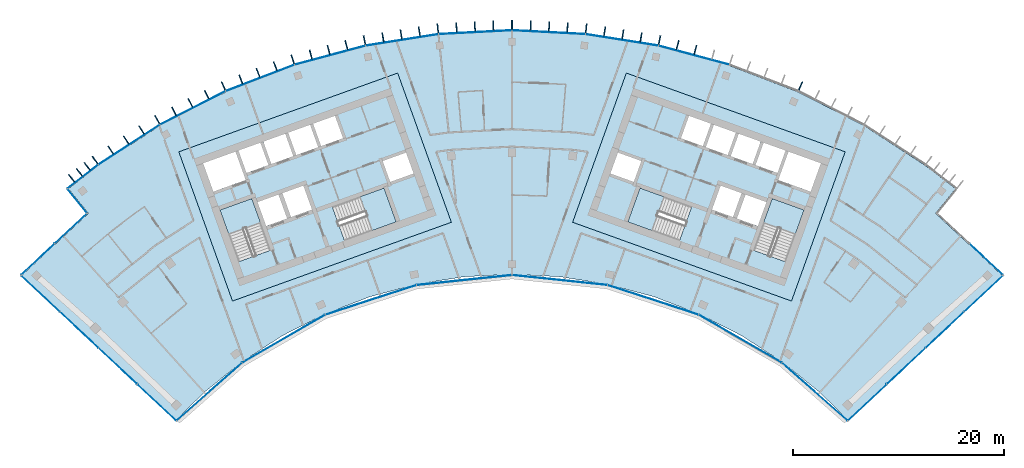
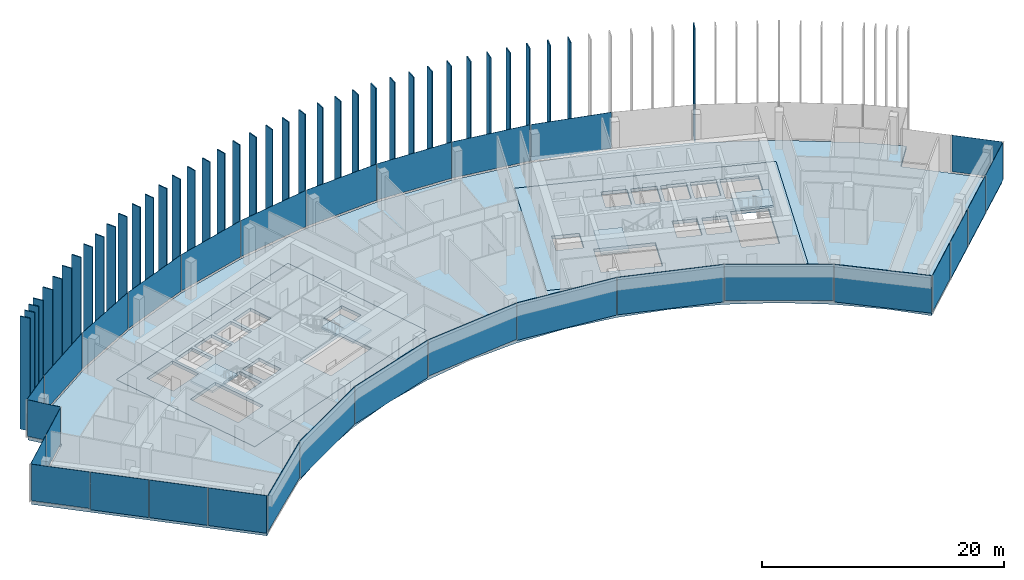
# One storey, part 11 of 19: 69 plates, 7 slabs, 11 elements without a shape of their own.
"""IFC4 building model written with IfcOpenShell, lengths in metres."""

from ifc_helpers import new_model, si_unit, direction, frame, origin, origin_2d, place, context, subcontext, project, spatial, polyline, rectangle, outline, extrude, material, layer, layer_set, type_object, element, aggregate, save


model = new_model("IFC4")

# Units and contexts
model_context = context("Model", 3, precision=1e-05, world=origin(), true_north=direction((0.0, 1.0)))
body_context = subcontext(model_context, "Body", "Model", "MODEL_VIEW")
ifc_project = project(units=[si_unit("LENGTHUNIT", "METRE"), si_unit("AREAUNIT", "SQUARE_METRE"), si_unit("VOLUMEUNIT", "CUBIC_METRE"), si_unit("PLANEANGLEUNIT", "RADIAN"), si_unit("MASSUNIT", "GRAM", prefix="KILO")], contexts=[model_context])

# Site, building, storey
site_placement = place(None, origin())
site = spatial("IfcSite", under=ifc_project, at=site_placement, CompositionType="ELEMENT")
building_placement = place(site_placement, origin())
building = spatial("IfcBuilding", under=site, at=building_placement, Name="Stone Belt Terrace Tower", CompositionType="ELEMENT")
storey_placement = place(building_placement, frame((0.0, 0.0, 292.199951171875)))
storey = spatial("IfcBuildingStorey", under=building, at=storey_placement, Name="L71", CompositionType="ELEMENT", Elevation=292.199951171875)

# Curtain wall, plates
ifc_material_1 = material(Name="Aluminium 6063-T6 anodised frame", Category="aluminium")
ifc_layer_1 = layer(ifc_material_1, 0.14990234375)
ifc_layer_set_1 = layer_set([ifc_layer_1], Name="CW-A unitised convex-face curtain wall")
curtain_wall_type_1 = type_object("IfcCurtainWallType", Name="CW-A unitised convex-face curtain wall", PredefinedType="NOTDEFINED", material=ifc_layer_set_1)
curtain_wall_1_placement = place(storey_placement, origin())
curtain_wall_1 = element("IfcCurtainWall", 1, at=curtain_wall_1_placement, inside=storey, type_object=curtain_wall_type_1, Name="CW-A convex face L71", PredefinedType="NOTDEFINED")
ifc_material_2 = material(Name="Clear double glazed unit")
ifc_layer_2 = layer(ifc_material_2, 0.031982421875)
ifc_layer_set_2 = layer_set([ifc_layer_2], Name="CW-A glass panel 32")
plate_type_1 = type_object("IfcPlateType", Name="CW-A glass panel 32", PredefinedType="CURTAIN_PANEL", material=ifc_layer_set_2)
plate_1_placement = place(storey_placement, frame((17.207275390625, 64.218505859375, 0.14013671875), z_axis=(0.0, 0.0, 1.0), x_axis=(-0.965925826289, 0.258819045103, 0.0)))
plate_1 = element("IfcPlate", 2, at=plate_1_placement, type_object=plate_type_1, Name="CW-A panel 5.1", PredefinedType="CURTAIN_PANEL", context=body_context, shape_type="SweptSolid", body=[
    extrude(rectangle(XDim=6.90087890625, YDim=0.031982421875, at=origin_2d()), origin(), (0.0, 0.0, 1.0), 3.659912109375),
])
plate_2_placement = place(storey_placement, frame((10.400390625, 65.665283203125, 0.14013671875), z_axis=(0.0, 0.0, 1.0), x_axis=(-0.987688340595, 0.15643446504, 0.0)))
plate_2 = element("IfcPlate", 3, at=plate_2_placement, type_object=plate_type_1, Name="CW-A panel 6.1", PredefinedType="CURTAIN_PANEL", context=body_context, shape_type="SweptSolid", body=[
    extrude(rectangle(XDim=6.90087890625, YDim=0.031982421875, at=origin_2d()), origin(), (0.0, 0.0, 1.0), 3.659912109375),
])
plate_3_placement = place(storey_placement, frame((3.4794921875, 66.392822265625, 0.14013671875), z_axis=(0.0, 0.0, 1.0), x_axis=(-0.998629534755, 0.052335956243, 0.0)))
plate_3 = element("IfcPlate", 4, at=plate_3_placement, type_object=plate_type_1, Name="CW-A panel 7.1", PredefinedType="CURTAIN_PANEL", context=body_context, shape_type="SweptSolid", body=[
    extrude(rectangle(XDim=6.90087890625, YDim=0.031982421875, at=origin_2d()), origin(), (0.0, 0.0, 1.0), 3.659912109375),
])
plate_4_placement = place(storey_placement, frame((-3.4794921875, 66.392822265625, 0.14013671875), z_axis=(0.0, 0.0, 1.0), x_axis=(-0.998629534755, -0.052335956243, 0.0)))
plate_4 = element("IfcPlate", 5, at=plate_4_placement, type_object=plate_type_1, Name="CW-A panel 8.1", PredefinedType="CURTAIN_PANEL", context=body_context, shape_type="SweptSolid", body=[
    extrude(rectangle(XDim=6.90087890625, YDim=0.031982421875, at=origin_2d()), origin(), (0.0, 0.0, 1.0), 3.659912109375),
])
plate_5_placement = place(storey_placement, frame((-10.400390625, 65.665283203125, 0.14013671875), z_axis=(0.0, 0.0, 1.0), x_axis=(-0.987688340595, -0.15643446504, 0.0)))
plate_5 = element("IfcPlate", 6, at=plate_5_placement, type_object=plate_type_1, Name="CW-A panel 9.1", PredefinedType="CURTAIN_PANEL", context=body_context, shape_type="SweptSolid", body=[
    extrude(rectangle(XDim=6.90087890625, YDim=0.031982421875, at=origin_2d()), origin(), (0.0, 0.0, 1.0), 3.659912109375),
])
plate_6_placement = place(storey_placement, frame((-17.207275390625, 64.218505859375, 0.14013671875), z_axis=(0.0, 0.0, 1.0), x_axis=(-0.965925826289, -0.258819045103, 0.0)))
plate_6 = element("IfcPlate", 7, at=plate_6_placement, type_object=plate_type_1, Name="CW-A panel 10.1", PredefinedType="CURTAIN_PANEL", context=body_context, shape_type="SweptSolid", body=[
    extrude(rectangle(XDim=6.90087890625, YDim=0.031982421875, at=origin_2d()), origin(), (0.0, 0.0, 1.0), 3.659912109375),
])
plate_7_placement = place(storey_placement, frame((-23.82568359375, 62.068115234375, 0.14013671875), z_axis=(0.0, 0.0, 1.0), x_axis=(-0.933580426497, -0.358367949545, 0.0)))
plate_7 = element("IfcPlate", 8, at=plate_7_placement, type_object=plate_type_1, Name="CW-A panel 11.1", PredefinedType="CURTAIN_PANEL", context=body_context, shape_type="SweptSolid", body=[
    extrude(rectangle(XDim=6.90087890625, YDim=0.031982421875, at=origin_2d()), origin(), (0.0, 0.0, 1.0), 3.659912109375),
])
plate_8_placement = place(storey_placement, frame((-30.18310546875, 59.237548828125, 0.14013671875), z_axis=(0.0, 0.0, 1.0), x_axis=(-0.891006524188, -0.45399049974, 0.0)))
plate_8 = element("IfcPlate", 9, at=plate_8_placement, type_object=plate_type_1, Name="CW-A panel 12.1", PredefinedType="CURTAIN_PANEL", context=body_context, shape_type="SweptSolid", body=[
    extrude(rectangle(XDim=6.90087890625, YDim=0.031982421875, at=origin_2d()), origin(), (0.0, 0.0, 1.0), 3.659912109375),
])
plate_9_placement = place(storey_placement, frame((-36.209716796875, 55.758056640625, 0.14013671875), z_axis=(0.0, 0.0, 1.0), x_axis=(-0.838670567945, -0.544639035015, 0.0)))
plate_9 = element("IfcPlate", 10, at=plate_9_placement, type_object=plate_type_1, Name="CW-A panel 13.1", PredefinedType="CURTAIN_PANEL", context=body_context, shape_type="SweptSolid", body=[
    extrude(rectangle(XDim=6.900634765625, YDim=0.031982421875, at=origin_2d()), origin(), (0.0, 0.0, 1.0), 3.659912109375),
])
plate_10_placement = place(storey_placement, frame((-40.583251953125, 52.744140625, 0.14013671875), z_axis=(0.0, 0.0, 1.0), x_axis=(-0.792693871824, -0.60961990254, 0.0)))
plate_10 = element("IfcPlate", 11, at=plate_10_placement, type_object=plate_type_1, Name="CW-A panel 14.1", PredefinedType="CURTAIN_PANEL", context=body_context, shape_type="SweptSolid", body=[
    extrude(rectangle(XDim=3.597900390625, YDim=0.031982421875, at=origin_2d()), origin(), (0.0, 0.0, 1.0), 3.659912109375),
])
aggregate(curtain_wall_1, [plate_1, plate_2, plate_3, plate_4, plate_5, plate_6, plate_7, plate_8, plate_9, plate_10])

ifc_layer_3 = layer(ifc_material_1, 0.14990234375)
ifc_layer_set_3 = layer_set([ifc_layer_3], Name="CW-B unitised concave-face curtain wall")
curtain_wall_type_2 = type_object("IfcCurtainWallType", Name="CW-B unitised concave-face curtain wall", PredefinedType="NOTDEFINED", material=ifc_layer_set_3)
curtain_wall_2_placement = place(storey_placement, origin())
curtain_wall_2 = element("IfcCurtainWall", 12, at=curtain_wall_2_placement, inside=storey, type_object=curtain_wall_type_2, Name="CW-B concave face L71", PredefinedType="NOTDEFINED")
ifc_layer_4 = layer(ifc_material_2, 0.030029296875)
ifc_layer_set_4 = layer_set([ifc_layer_4], Name="CW-B glass panel 30")
plate_type_2 = type_object("IfcPlateType", Name="CW-B glass panel 30", PredefinedType="CURTAIN_PANEL", material=ifc_layer_set_4)
plate_11_placement = place(storey_placement, frame((-28.624755859375, 32.39404296875, 0.1201171875), z_axis=(0.0, 0.0, 1.0), x_axis=(0.749658646805, 0.661824684694, 0.0)))
plate_11 = element("IfcPlate", 13, at=plate_11_placement, type_object=plate_type_2, Name="CW-B panel 1.1", PredefinedType="CURTAIN_PANEL", context=body_context, shape_type="SweptSolid", body=[
    extrude(rectangle(XDim=8.2060546875, YDim=0.030029296875, at=origin_2d()), origin(), (0.0, 0.0, 1.0), 3.679931640625),
])
plate_12_placement = place(storey_placement, frame((-21.59375, 37.400634765625, 0.0), z_axis=(0.0, 0.0, 1.0), x_axis=(0.866025403784, 0.5, 0.0)))
plate_12 = element("IfcPlate", 14, at=plate_12_placement, type_object=plate_type_2, Name="CW-B panel 2.1", PredefinedType="CURTAIN_PANEL", context=body_context, shape_type="SweptSolid", body=[
    extrude(rectangle(XDim=9.013427734375, YDim=0.030029296875, at=origin_2d()), origin(), (0.0, 0.0, 1.0), 3.800048828125),
])
plate_13_placement = place(storey_placement, frame((-13.345458984375, 41.072998046875, 0.0), z_axis=(0.0, 0.0, 1.0), x_axis=(0.951056516295, 0.309016994375, 0.0)))
plate_13 = element("IfcPlate", 15, at=plate_13_placement, type_object=plate_type_2, Name="CW-B panel 3.1", PredefinedType="CURTAIN_PANEL", context=body_context, shape_type="SweptSolid", body=[
    extrude(rectangle(XDim=9.0126953125, YDim=0.030029296875, at=origin_2d()), origin(), (0.0, 0.0, 1.0), 3.800048828125),
])
plate_14_placement = place(storey_placement, frame((-4.51416015625, 42.9501953125, 0.1201171875), z_axis=(0.0, 0.0, 1.0), x_axis=(0.994521895368, 0.104528463268, 0.0)))
plate_14 = element("IfcPlate", 16, at=plate_14_placement, type_object=plate_type_2, Name="CW-B panel 4.1", PredefinedType="CURTAIN_PANEL", context=body_context, shape_type="SweptSolid", body=[
    extrude(rectangle(XDim=9.0126953125, YDim=0.030029296875, at=origin_2d()), origin(), (0.0, 0.0, 1.0), 3.679931640625),
])
plate_15_placement = place(storey_placement, frame((4.51416015625, 42.9501953125, 0.0), z_axis=(0.0, 0.0, 1.0), x_axis=(0.994521895368, -0.104528463268, 0.0)))
plate_15 = element("IfcPlate", 17, at=plate_15_placement, type_object=plate_type_2, Name="CW-B panel 5.1", PredefinedType="CURTAIN_PANEL", context=body_context, shape_type="SweptSolid", body=[
    extrude(rectangle(XDim=9.0126953125, YDim=0.030029296875, at=origin_2d()), origin(), (0.0, 0.0, 1.0), 3.800048828125),
])
plate_16_placement = place(storey_placement, frame((13.345458984375, 41.072998046875, 0.0), z_axis=(0.0, 0.0, 1.0), x_axis=(0.951056516295, -0.309016994375, 0.0)))
plate_16 = element("IfcPlate", 18, at=plate_16_placement, type_object=plate_type_2, Name="CW-B panel 6.1", PredefinedType="CURTAIN_PANEL", context=body_context, shape_type="SweptSolid", body=[
    extrude(rectangle(XDim=9.0126953125, YDim=0.030029296875, at=origin_2d()), origin(), (0.0, 0.0, 1.0), 3.800048828125),
])
plate_17_placement = place(storey_placement, frame((21.59375, 37.400634765625, 0.1201171875), z_axis=(0.0, 0.0, 1.0), x_axis=(0.866025403784, -0.5, 0.0)))
plate_17 = element("IfcPlate", 19, at=plate_17_placement, type_object=plate_type_2, Name="CW-B panel 7.1", PredefinedType="CURTAIN_PANEL", context=body_context, shape_type="SweptSolid", body=[
    extrude(rectangle(XDim=9.013427734375, YDim=0.030029296875, at=origin_2d()), origin(), (0.0, 0.0, 1.0), 3.679931640625),
])
plate_18_placement = place(storey_placement, frame((28.624755859375, 32.39404296875, 0.0), z_axis=(0.0, 0.0, 1.0), x_axis=(0.749658646805, -0.661824684694, 0.0)))
plate_18 = element("IfcPlate", 20, at=plate_18_placement, type_object=plate_type_2, Name="CW-B panel 8.1", PredefinedType="CURTAIN_PANEL", context=body_context, shape_type="SweptSolid", body=[
    extrude(rectangle(XDim=8.2060546875, YDim=0.030029296875, at=origin_2d()), origin(), (0.0, 0.0, 1.0), 3.800048828125),
])
aggregate(curtain_wall_2, [plate_11, plate_12, plate_13, plate_14, plate_15, plate_16, plate_17, plate_18])

ifc_layer_5 = layer(ifc_material_1, 0.14990234375)
ifc_layer_set_5 = layer_set([ifc_layer_5], Name="CW-C stick curtain wall, horn ends and notches")
curtain_wall_type_3 = type_object("IfcCurtainWallType", Name="CW-C stick curtain wall, horn ends and notches", PredefinedType="NOTDEFINED", material=ifc_layer_set_5)
curtain_wall_3_placement = place(storey_placement, origin())
curtain_wall_3 = element("IfcCurtainWall", 21, at=curtain_wall_3_placement, inside=storey, type_object=curtain_wall_type_3, Name="CW-C end face L71", PredefinedType="NOTDEFINED")
ifc_layer_6 = layer(ifc_material_2, 0.028076171875)
ifc_layer_set_6 = layer_set([ifc_layer_6], Name="CW-C glass panel 28")
plate_type_3 = type_object("IfcPlateType", Name="CW-C glass panel 28", PredefinedType="CURTAIN_PANEL", material=ifc_layer_set_6)
plate_19_placement = place(storey_placement, frame((33.617431640625, 31.3798828125, 0.1201171875), z_axis=(0.0, 0.0, 1.0), x_axis=(0.729904219708, 0.683549434973, 0.0)))
plate_19 = element("IfcPlate", 22, at=plate_19_placement, type_object=plate_type_3, Name="CW-C panel 1.1", PredefinedType="CURTAIN_PANEL", context=body_context, shape_type="SweptSolid", body=[
    extrude(rectangle(XDim=4.965576171875, YDim=0.028076171875, at=origin_2d()), origin(), (0.0, 0.0, 1.0), 3.679931640625),
])
plate_20_placement = place(storey_placement, frame((37.2763671875, 34.806396484375, 0.0), z_axis=(0.0, 0.0, 1.0), x_axis=(0.729904219708, 0.683549434973, 0.0)))
plate_20 = element("IfcPlate", 23, at=plate_20_placement, type_object=plate_type_3, Name="CW-C panel 2.1", PredefinedType="CURTAIN_PANEL", context=body_context, shape_type="SweptSolid", body=[
    extrude(rectangle(XDim=4.93994140625, YDim=0.028076171875, at=origin_2d()), origin(), (0.0, 0.0, 1.0), 3.800048828125),
])
plate_21_placement = place(storey_placement, frame((40.92578125, 38.22412109375, 0.0), z_axis=(0.0, 0.0, 1.0), x_axis=(0.729904219708, 0.683549434973, 0.0)))
plate_21 = element("IfcPlate", 24, at=plate_21_placement, type_object=plate_type_3, Name="CW-C panel 3.1", PredefinedType="CURTAIN_PANEL", context=body_context, shape_type="SweptSolid", body=[
    extrude(rectangle(XDim=4.93994140625, YDim=0.028076171875, at=origin_2d()), origin(), (0.0, 0.0, 1.0), 3.800048828125),
])
plate_22_placement = place(storey_placement, frame((44.588134765625, 41.65380859375, 0.0), z_axis=(0.0, 0.0, 1.0), x_axis=(0.729904219708, 0.683549434973, 0.0)))
plate_22 = element("IfcPlate", 25, at=plate_22_placement, type_object=plate_type_3, Name="CW-C panel 4.1", PredefinedType="CURTAIN_PANEL", context=body_context, shape_type="SweptSolid", body=[
    extrude(rectangle(XDim=4.974853515625, YDim=0.028076171875, at=origin_2d()), origin(), (0.0, 0.0, 1.0), 3.800048828125),
])
aggregate(curtain_wall_3, [plate_19, plate_20, plate_21, plate_22])

# Curtain wall, plate
curtain_wall_4_placement = place(storey_placement, origin())
curtain_wall_4 = element("IfcCurtainWall", 26, at=curtain_wall_4_placement, inside=storey, type_object=curtain_wall_type_3, Name="CW-C notch face L71", PredefinedType="NOTDEFINED")
plate_23_placement = place(storey_placement, frame((44.8427734375, 44.91259765625, 0.1201171875), z_axis=(0.0, 0.0, 1.0), x_axis=(-0.731339333871, 0.682013767261, 0.0)))
plate_23 = element("IfcPlate", 27, at=plate_23_placement, type_object=plate_type_3, Name="CW-C panel 1.1", PredefinedType="CURTAIN_PANEL", context=body_context, shape_type="SweptSolid", body=[
    extrude(rectangle(XDim=4.268798828125, YDim=0.028076171875, at=origin_2d()), origin(), (0.0, 0.0, 1.0), 3.679931640625),
])
aggregate(curtain_wall_4, [plate_23])

curtain_wall_5_placement = place(storey_placement, origin())
curtain_wall_5 = element("IfcCurtainWall", 28, at=curtain_wall_5_placement, inside=storey, type_object=curtain_wall_type_3, Name="CW-C notch face L71", PredefinedType="NOTDEFINED")
plate_24_placement = place(storey_placement, frame((-41.119140625, 50.43505859375, 0.1201171875), z_axis=(0.0, 0.0, 1.0), x_axis=(0.631001485542, -0.775781622136, 0.0)))
plate_24 = element("IfcPlate", 29, at=plate_24_placement, type_object=plate_type_3, Name="CW-C panel 1.1", PredefinedType="CURTAIN_PANEL", context=body_context, shape_type="SweptSolid", body=[
    extrude(rectangle(XDim=2.859130859375, YDim=0.028076171875, at=origin_2d()), origin(), (0.0, 0.0, 1.0), 3.679931640625),
])
aggregate(curtain_wall_5, [plate_24])

# Curtain wall, plates
curtain_wall_6_placement = place(storey_placement, origin())
curtain_wall_6 = element("IfcCurtainWall", 30, at=curtain_wall_6_placement, inside=storey, type_object=curtain_wall_type_3, Name="CW-C notch face L71", PredefinedType="NOTDEFINED")
plate_25_placement = place(storey_placement, frame((-41.731201171875, 47.814208984375, 0.1201171875), z_axis=(0.0, 0.0, 1.0), x_axis=(-0.731339333871, -0.682013767261, 0.0)))
plate_25 = element("IfcPlate", 31, at=plate_25_placement, type_object=plate_type_3, Name="CW-C panel 1.1", PredefinedType="CURTAIN_PANEL", context=body_context, shape_type="SweptSolid", body=[
    extrude(rectangle(XDim=4.12060546875, YDim=0.028076171875, at=origin_2d()), origin(), (0.0, 0.0, 1.0), 3.679931640625),
])
plate_26_placement = place(storey_placement, frame((-44.8427734375, 44.91259765625, 0.0), z_axis=(0.0, 0.0, 1.0), x_axis=(-0.731339333871, -0.682013767261, 0.0)))
plate_26 = element("IfcPlate", 32, at=plate_26_placement, type_object=plate_type_3, Name="CW-C panel 2.1", PredefinedType="CURTAIN_PANEL", context=body_context, shape_type="SweptSolid", body=[
    extrude(rectangle(XDim=4.268798828125, YDim=0.028076171875, at=origin_2d()), origin(), (0.0, 0.0, 1.0), 3.800048828125),
])
aggregate(curtain_wall_6, [plate_25, plate_26])

curtain_wall_7_placement = place(storey_placement, origin())
curtain_wall_7 = element("IfcCurtainWall", 33, at=curtain_wall_7_placement, inside=storey, type_object=curtain_wall_type_3, Name="CW-C end face L71", PredefinedType="NOTDEFINED")
plate_27_placement = place(storey_placement, frame((-44.588134765625, 41.65380859375, 0.1201171875), z_axis=(0.0, 0.0, 1.0), x_axis=(0.729904219708, -0.683549434973, 0.0)))
plate_27 = element("IfcPlate", 34, at=plate_27_placement, type_object=plate_type_3, Name="CW-C panel 1.1", PredefinedType="CURTAIN_PANEL", context=body_context, shape_type="SweptSolid", body=[
    extrude(rectangle(XDim=4.974853515625, YDim=0.028076171875, at=origin_2d()), origin(), (0.0, 0.0, 1.0), 3.679931640625),
])
plate_28_placement = place(storey_placement, frame((-40.92578125, 38.22412109375, 0.0), z_axis=(0.0, 0.0, 1.0), x_axis=(0.729904219708, -0.683549434973, 0.0)))
plate_28 = element("IfcPlate", 35, at=plate_28_placement, type_object=plate_type_3, Name="CW-C panel 2.1", PredefinedType="CURTAIN_PANEL", context=body_context, shape_type="SweptSolid", body=[
    extrude(rectangle(XDim=4.93994140625, YDim=0.028076171875, at=origin_2d()), origin(), (0.0, 0.0, 1.0), 3.800048828125),
])
plate_29_placement = place(storey_placement, frame((-37.2763671875, 34.806396484375, 0.0), z_axis=(0.0, 0.0, 1.0), x_axis=(0.729904219708, -0.683549434973, 0.0)))
plate_29 = element("IfcPlate", 36, at=plate_29_placement, type_object=plate_type_3, Name="CW-C panel 3.1", PredefinedType="CURTAIN_PANEL", context=body_context, shape_type="SweptSolid", body=[
    extrude(rectangle(XDim=4.93994140625, YDim=0.028076171875, at=origin_2d()), origin(), (0.0, 0.0, 1.0), 3.800048828125),
])
plate_30_placement = place(storey_placement, frame((-33.617431640625, 31.3798828125, 0.0), z_axis=(0.0, 0.0, 1.0), x_axis=(0.729904219708, -0.683549434973, 0.0)))
plate_30 = element("IfcPlate", 37, at=plate_30_placement, type_object=plate_type_3, Name="CW-C panel 4.1", PredefinedType="CURTAIN_PANEL", context=body_context, shape_type="SweptSolid", body=[
    extrude(rectangle(XDim=4.965576171875, YDim=0.028076171875, at=origin_2d()), origin(), (0.0, 0.0, 1.0), 3.800048828125),
])
aggregate(curtain_wall_7, [plate_27, plate_28, plate_29, plate_30])

# Slabs
ifc_material_3 = material(Name="Concrete B40", Category="concrete")
ifc_layer_7 = layer(ifc_material_3, 0.320068359375)
ifc_layer_set_7 = layer_set([ifc_layer_7], Name="Core floor slab 320")
slab_type_1 = type_object("IfcSlabType", Name="Core floor slab 320", PredefinedType="FLOOR", material=ifc_layer_set_7)
slab_1_placement = place(storey_placement, frame((0.0, 0.0, -0.320068359375)))
element("IfcSlab", 38, at=slab_1_placement, inside=storey, type_object=slab_type_1, Name="Core A floor L71", PredefinedType="FLOOR", context=body_context, shape_type="SweptSolid", body=[
    extrude(outline(polyline([(-26.43505859375, 40.968994140625), (-5.735107421875, 48.4189453125), (-10.81396484375, 62.531982421875), (-31.513916015625, 55.0830078125), (-26.43505859375, 40.968994140625)]), holes=[polyline([(-24.60791015625, 50.659912109375), (-22.847900390625, 45.76806640625), (-25.85888671875, 44.68408203125), (-27.618896484375, 49.575927734375), (-24.60791015625, 50.659912109375)]), polyline([(-10.955078125, 48.452880859375), (-15.846923828125, 46.69189453125), (-16.998046875, 49.89208984375), (-12.10595703125, 51.652099609375), (-10.955078125, 48.452880859375)]), polyline([(-22.0869140625, 51.035888671875), (-21.27392578125, 48.778076171875), (-23.25, 48.06689453125), (-24.06298828125, 50.324951171875), (-22.0869140625, 51.035888671875)]), polyline([(-18.922119140625, 49.6240234375), (-20.89794921875, 48.9130859375), (-21.7109375, 51.1708984375), (-19.735107421875, 51.883056640625), (-18.922119140625, 49.6240234375)]), polyline([(-29.2109375, 53.9990234375), (-26.153076171875, 55.09912109375), (-25.18798828125, 52.41796875), (-28.24609375, 51.31689453125), (-29.2109375, 53.9990234375)]), polyline([(-10.01904296875, 55.007080078125), (-9.30810546875, 53.031005859375), (-11.51904296875, 52.235107421875), (-12.22998046875, 54.2109375), (-10.01904296875, 55.007080078125)]), polyline([(-25.87109375, 55.200927734375), (-23.801025390625, 55.946044921875), (-23.0390625, 53.8291015625), (-25.10888671875, 53.083984375), (-25.87109375, 55.200927734375)]), polyline([(-23.51806640625, 56.047119140625), (-21.447998046875, 56.7919921875), (-20.68603515625, 54.675048828125), (-22.756103515625, 53.929931640625), (-23.51806640625, 56.047119140625)]), polyline([(-19.095947265625, 57.638916015625), (-18.333984375, 55.52197265625), (-20.404052734375, 54.777099609375), (-21.166015625, 56.89404296875), (-19.095947265625, 57.638916015625)]), polyline([(-16.743896484375, 58.485107421875), (-15.98193359375, 56.367919921875), (-18.052001953125, 55.623046875), (-18.81396484375, 57.739990234375), (-16.743896484375, 58.485107421875)])]), origin(), (0.0, 0.0, 1.0), 0.320068359375),
])
slab_2_placement = place(storey_placement, frame((0.0, 0.0, -0.320068359375)))
element("IfcSlab", 39, at=slab_2_placement, inside=storey, type_object=slab_type_1, Name="Core B floor L71", PredefinedType="FLOOR", context=body_context, shape_type="SweptSolid", body=[
    extrude(outline(polyline([(26.43505859375, 40.968994140625), (31.513916015625, 55.0830078125), (10.81396484375, 62.531982421875), (5.735107421875, 48.4189453125), (26.43505859375, 40.968994140625)]), holes=[polyline([(27.618896484375, 49.575927734375), (25.85888671875, 44.68408203125), (22.847900390625, 45.76806640625), (24.60791015625, 50.659912109375), (27.618896484375, 49.575927734375)]), polyline([(12.10595703125, 51.652099609375), (16.998046875, 49.89208984375), (15.846923828125, 46.69189453125), (10.955078125, 48.452880859375), (12.10595703125, 51.652099609375)]), polyline([(23.25, 48.06689453125), (21.27392578125, 48.778076171875), (22.0869140625, 51.035888671875), (24.06298828125, 50.324951171875), (23.25, 48.06689453125)]), polyline([(18.922119140625, 49.6240234375), (19.735107421875, 51.883056640625), (21.7109375, 51.1708984375), (20.89794921875, 48.9130859375), (18.922119140625, 49.6240234375)]), polyline([(29.2109375, 53.9990234375), (28.24609375, 51.31689453125), (25.18798828125, 52.41796875), (26.153076171875, 55.09912109375), (29.2109375, 53.9990234375)]), polyline([(11.51904296875, 52.235107421875), (9.30810546875, 53.031005859375), (10.01904296875, 55.007080078125), (12.22998046875, 54.2109375), (11.51904296875, 52.235107421875)]), polyline([(23.0390625, 53.8291015625), (23.801025390625, 55.946044921875), (25.87109375, 55.200927734375), (25.10888671875, 53.083984375), (23.0390625, 53.8291015625)]), polyline([(20.68603515625, 54.675048828125), (21.447998046875, 56.7919921875), (23.51806640625, 56.047119140625), (22.756103515625, 53.929931640625), (20.68603515625, 54.675048828125)]), polyline([(19.095947265625, 57.638916015625), (21.166015625, 56.89404296875), (20.404052734375, 54.777099609375), (18.333984375, 55.52197265625), (19.095947265625, 57.638916015625)]), polyline([(16.743896484375, 58.485107421875), (18.81396484375, 57.739990234375), (18.052001953125, 55.623046875), (15.98193359375, 56.367919921875), (16.743896484375, 58.485107421875)])]), origin(), (0.0, 0.0, 1.0), 0.320068359375),
])
ifc_layer_8 = layer(ifc_material_3, 0.320068359375)
ifc_layer_set_8 = layer_set([ifc_layer_8], Name="Floor slab 320 B40")
slab_type_2 = type_object("IfcSlabType", Name="Floor slab 320 B40", PredefinedType="FLOOR", material=ifc_layer_set_8)
slab_3_placement = place(storey_placement, frame((0.0, 0.0, -0.320068359375)))
element("IfcSlab", 40, at=slab_3_placement, inside=storey, type_object=slab_type_2, Name="Floor slab L71", PredefinedType="FLOOR", context=body_context, shape_type="SweptSolid", body=[
    extrude(outline(polyline([(-40.068603515625, 49.26220703125), (-41.961669921875, 51.589599609375), (-39.087646484375, 53.799560546875), (-33.25, 57.5908203125), (-27.048095703125, 60.750732421875), (-20.549560546875, 63.245361328125), (-13.826171875, 65.046875), (-6.951171875, 66.1357421875), (0.0, 66.5), (6.951171875, 66.1357421875), (13.826171875, 65.046875), (20.549560546875, 63.245361328125), (27.048095703125, 60.750732421875), (33.25, 57.5908203125), (39.087646484375, 53.799560546875), (41.961669921875, 51.589599609375), (40.068603515625, 49.26220703125), (46.348876953125, 43.405517578125), (31.750732421875, 29.734375), (29.107177734375, 32.326904296875), (25.568603515625, 35.192138671875), (21.75, 37.672119140625), (17.693115234375, 39.7392578125), (13.442138671875, 41.37109375), (9.044189453125, 42.54931640625), (4.547119140625, 43.26171875), (0.0, 43.5), (-4.547119140625, 43.26171875), (-9.044189453125, 42.54931640625), (-13.442138671875, 41.37109375), (-17.693115234375, 39.7392578125), (-21.75, 37.672119140625), (-25.568603515625, 35.192138671875), (-29.107177734375, 32.326904296875), (-31.750732421875, 29.734375), (-46.348876953125, 43.405517578125), (-40.068603515625, 49.26220703125)]), holes=[polyline([(-10.81396484375, 62.532470703125), (-31.51416015625, 55.082763671875), (-26.434814453125, 40.968994140625), (-5.734619140625, 48.418701171875), (-10.81396484375, 62.532470703125)]), polyline([(26.434814453125, 40.968994140625), (31.51416015625, 55.082763671875), (10.81396484375, 62.532470703125), (5.734619140625, 48.418701171875), (26.434814453125, 40.968994140625)])]), origin(), (0.0, 0.0, 1.0), 0.320068359375),
])

# Stair, slab
stair_type = type_object("IfcStairType", Name="Exit stair 1500", PredefinedType="HALF_TURN_STAIR", material=ifc_material_3)
stair_1_placement = place(storey_placement, origin())
stair_1 = element("IfcStair", 41, at=stair_1_placement, inside=storey, type_object=stair_type, Name="L71 Exit stair 1 core A", PredefinedType="HALF_TURN_STAIR")
ifc_layer_9 = layer(ifc_material_3, 0.199951171875)
ifc_layer_set_9 = layer_set([ifc_layer_9], Name="Stair landing 200")
slab_type_3 = type_object("IfcSlabType", Name="Stair landing 200", PredefinedType="LANDING", material=ifc_layer_set_9)
slab_4_placement = place(storey_placement, frame((0.0, 0.0, 1.699951171875)))
slab_4 = element("IfcSlab", 42, at=slab_4_placement, type_object=slab_type_3, Name="ST1A landing 1", PredefinedType="LANDING", context=body_context, shape_type="SweptSolid", body=[
    extrude(outline(polyline([(-23.79541015625, 48.40087890625), (-24.6083984375, 50.659912109375), (-27.619384765625, 49.576171875), (-26.806396484375, 47.3173828125), (-23.79541015625, 48.40087890625)])), origin(), (0.0, 0.0, 1.0), 0.2001953125),
])
aggregate(stair_1, [slab_4])

stair_2_placement = place(storey_placement, origin())
stair_2 = element("IfcStair", 43, at=stair_2_placement, inside=storey, type_object=stair_type, Name="L71 Exit stair 2 core A", PredefinedType="HALF_TURN_STAIR")
slab_5_placement = place(storey_placement, frame((0.0, 0.0, 1.699951171875)))
slab_5 = element("IfcSlab", 44, at=slab_5_placement, type_object=slab_type_3, Name="ST2A landing 1", PredefinedType="LANDING", context=body_context, shape_type="SweptSolid", body=[
    extrude(outline(polyline([(-13.213623046875, 47.64013671875), (-10.95458984375, 48.453125), (-12.10595703125, 51.652099609375), (-14.36474609375, 50.839111328125), (-13.213623046875, 47.64013671875)])), origin(), (0.0, 0.0, 1.0), 0.2001953125),
])
aggregate(stair_2, [slab_5])

stair_3_placement = place(storey_placement, origin())
stair_3 = element("IfcStair", 45, at=stair_3_placement, inside=storey, type_object=stair_type, Name="L71 Exit stair 1 core B", PredefinedType="HALF_TURN_STAIR")
slab_6_placement = place(storey_placement, frame((0.0, 0.0, 1.699951171875)))
slab_6 = element("IfcSlab", 46, at=slab_6_placement, type_object=slab_type_3, Name="ST1B landing 1", PredefinedType="LANDING", context=body_context, shape_type="SweptSolid", body=[
    extrude(outline(polyline([(26.806396484375, 47.3173828125), (27.619384765625, 49.576171875), (24.6083984375, 50.659912109375), (23.79541015625, 48.40087890625), (26.806396484375, 47.3173828125)])), origin(), (0.0, 0.0, 1.0), 0.2001953125),
])
aggregate(stair_3, [slab_6])

stair_4_placement = place(storey_placement, origin())
stair_4 = element("IfcStair", 47, at=stair_4_placement, inside=storey, type_object=stair_type, Name="L71 Exit stair 2 core B", PredefinedType="HALF_TURN_STAIR")
slab_7_placement = place(storey_placement, frame((0.0, 0.0, 1.699951171875)))
slab_7 = element("IfcSlab", 48, at=slab_7_placement, type_object=slab_type_3, Name="ST2B landing 1", PredefinedType="LANDING", context=body_context, shape_type="SweptSolid", body=[
    extrude(outline(polyline([(14.36474609375, 50.839111328125), (12.10595703125, 51.652099609375), (10.95458984375, 48.453125), (13.213623046875, 47.64013671875), (14.36474609375, 50.839111328125)])), origin(), (0.0, 0.0, 1.0), 0.2001953125),
])
aggregate(stair_4, [slab_7])

# Plates
ifc_material_4 = material(Name="Terracotta coloured glazed ceramic", Category="masonry")
ifc_layer_10 = layer(ifc_material_4, 0.10009765625)
ifc_layer_set_10 = layer_set([ifc_layer_10], Name="Terracotta fin 100 x 900")
plate_type_4 = type_object("IfcPlateType", Name="Terracotta fin 100 x 900", PredefinedType="SHEET", material=ifc_layer_set_10)
for number, where, z_axis, x_axis, name in (
    (49, (27.2919921875, 61.299072265625, 0.0), (0.0, 0.0, 1.0), (0.406736643076, 0.913545457643, 0.0), "FIN L71 4.1"),
    (50, (17.34326171875, 64.7255859375, 0.0), (0.0, 0.0, 1.0), (0.258819045103, 0.965925826289, 0.0), "FIN L71 5.3"),
    (51, (15.660400390625, 65.176513671875, 0.0), (0.0, 0.0, 1.0), (0.258819045103, 0.965925826289, 0.0), "FIN L71 5.4"),
    (52, (13.950927734375, 65.6337890625, 0.0), (0.0, 0.0, 1.0), (0.207911690818, 0.978147600734, 0.0), "FIN L71 6.1"),
    (53, (12.203125, 65.911376953125, 0.0), (0.0, 0.0, 1.0), (0.15643446504, 0.987688340595, 0.0), "FIN L71 6.2"),
    (54, (10.482421875, 66.183837890625, 0.0), (0.0, 0.0, 1.0), (0.15643446504, 0.987688340595, 0.0), "FIN L71 6.3"),
    (55, (8.76171875, 66.456298828125, 0.0), (0.0, 0.0, 1.0), (0.15643446504, 0.987688340595, 0.0), "FIN L71 6.4"),
    (56, (7.013916015625, 66.732421875, 0.0), (0.0, 0.0, 1.0), (0.104528463268, 0.994521895368, 0.0), "FIN L71 7.1"),
    (57, (5.246826171875, 66.825927734375, 0.0), (0.0, 0.0, 1.0), (0.052335956243, 0.998629534755, 0.0), "FIN L71 7.2"),
    (58, (3.507080078125, 66.9169921875, 0.0), (0.0, 0.0, 1.0), (0.052335956243, 0.998629534755, 0.0), "FIN L71 7.3"),
    (59, (1.767333984375, 67.00830078125, 0.0), (0.0, 0.0, 1.0), (0.052335956243, 0.998629534755, 0.0), "FIN L71 7.4"),
    (60, (0.0, 67.10009765625, 0.0), (0.0, 0.0, 1.0), (0.0, 1.0, 0.0), "FIN L71 8.1"),
    (61, (-1.767333984375, 67.00830078125, 0.0), (0.0, 0.0, 1.0), (-0.052335956243, 0.998629534755, 0.0), "FIN L71 8.2"),
    (62, (-3.507080078125, 66.9169921875, 0.0), (0.0, 0.0, 1.0), (-0.052335956243, 0.998629534755, 0.0), "FIN L71 8.3"),
    (63, (-5.246826171875, 66.825927734375, 0.0), (0.0, 0.0, 1.0), (-0.052335956243, 0.998629534755, 0.0), "FIN L71 8.4"),
    (64, (-7.013916015625, 66.732421875, 0.0), (0.0, 0.0, 1.0), (-0.104528463268, 0.994521895368, 0.0), "FIN L71 9.1"),
    (65, (-8.76171875, 66.456298828125, 0.0), (0.0, 0.0, 1.0), (-0.15643446504, 0.987688340595, 0.0), "FIN L71 9.2"),
    (66, (-10.482421875, 66.183837890625, 0.0), (0.0, 0.0, 1.0), (-0.15643446504, 0.987688340595, 0.0), "FIN L71 9.3"),
    (67, (-12.203125, 65.911376953125, 0.0), (0.0, 0.0, 1.0), (-0.15643446504, 0.987688340595, 0.0), "FIN L71 9.4"),
    (68, (-13.950927734375, 65.6337890625, 0.0), (0.0, 0.0, 1.0), (-0.207911690818, 0.978147600734, 0.0), "FIN L71 10.1"),
    (69, (-15.660400390625, 65.176513671875, 0.0), (0.0, 0.0, 1.0), (-0.258819045103, 0.965925826289, 0.0), "FIN L71 10.2"),
    (70, (-17.34326171875, 64.7255859375, 0.0), (0.0, 0.0, 1.0), (-0.258819045103, 0.965925826289, 0.0), "FIN L71 10.3"),
    (71, (-19.02587890625, 64.274658203125, 0.0), (0.0, 0.0, 1.0), (-0.258819045103, 0.965925826289, 0.0), "FIN L71 10.4"),
    (72, (-20.735107421875, 63.81591796875, 0.0), (0.0, 0.0, 1.0), (-0.309016994375, 0.951056516295, 0.0), "FIN L71 11.1"),
    (73, (-22.387451171875, 63.182373046875, 0.0), (0.0, 0.0, 1.0), (-0.358367949545, 0.933580426497, 0.0), "FIN L71 11.2"),
    (74, (-24.013916015625, 62.55810546875, 0.0), (0.0, 0.0, 1.0), (-0.358367949545, 0.933580426497, 0.0), "FIN L71 11.3"),
    (75, (-25.64013671875, 61.933837890625, 0.0), (0.0, 0.0, 1.0), (-0.358367949545, 0.933580426497, 0.0), "FIN L71 11.4"),
    (76, (-27.2919921875, 61.299072265625, 0.0), (0.0, 0.0, 1.0), (-0.406736643076, 0.913545457643, 0.0), "FIN L71 12.1"),
    (77, (-28.869140625, 60.496337890625, 0.0), (0.0, 0.0, 1.0), (-0.45399049974, 0.891006524188, 0.0), "FIN L71 12.2"),
    (78, (-30.42138671875, 59.705322265625, 0.0), (0.0, 0.0, 1.0), (-0.45399049974, 0.891006524188, 0.0), "FIN L71 12.3"),
    (79, (-31.9736328125, 58.914306640625, 0.0), (0.0, 0.0, 1.0), (-0.45399049974, 0.891006524188, 0.0), "FIN L71 12.4"),
    (80, (-33.550048828125, 58.1103515625, 0.0), (0.0, 0.0, 1.0), (-0.5, 0.866025403784, 0.0), "FIN L71 13.1"),
    (81, (-35.034423828125, 57.147216796875, 0.0), (0.0, 0.0, 1.0), (-0.544639035015, 0.838670567945, 0.0), "FIN L71 13.2"),
    (82, (-36.495361328125, 56.19873046875, 0.0), (0.0, 0.0, 1.0), (-0.544639035015, 0.838670567945, 0.0), "FIN L71 13.3"),
    (83, (-37.9560546875, 55.25, 0.0), (0.0, 0.0, 1.0), (-0.544639035015, 0.838670567945, 0.0), "FIN L71 13.4"),
    (84, (-39.434326171875, 54.28955078125, 0.0), (0.0, 0.0, 1.0), (-0.577587125789, 0.816329046477, 0.0), "FIN L71 14.1"),
    (85, (-40.185546875, 53.71240234375, 0.0), (0.0, 0.0, 1.0), (-0.60961990254, 0.792693871824, 0.0), "FIN L71 14.2"),
    (86, (-40.919677734375, 53.147705078125, 0.0), (0.0, 0.0, 1.0), (-0.60961990254, 0.792693871824, 0.0), "FIN L71 14.3"),
    (87, (-41.654052734375, 52.582763671875, 0.0), (0.0, 0.0, 1.0), (-0.60961990254, 0.792693871824, 0.0), "FIN L71 14.4"),
):
    element("IfcPlate", number, at=place(storey_placement, frame(where, z_axis=z_axis, x_axis=x_axis)), inside=storey, type_object=plate_type_4, Name=name, PredefinedType="SHEET", context=body_context, shape_type="SweptSolid", body=[
        extrude(rectangle(XDim=0.89990234375, YDim=0.10009765625, at=origin_2d()), origin(), (0.0, 0.0, 1.0), 11.39990234375),
    ])

save(model, "model.ifc")
